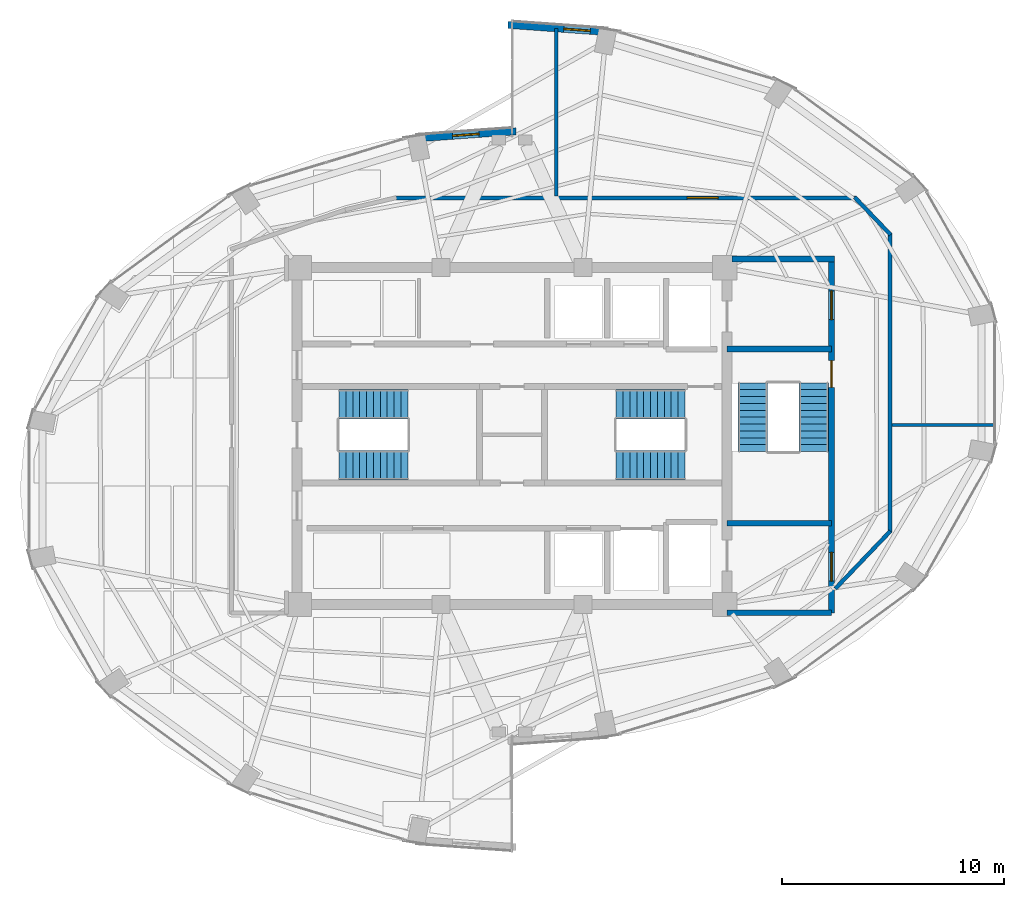
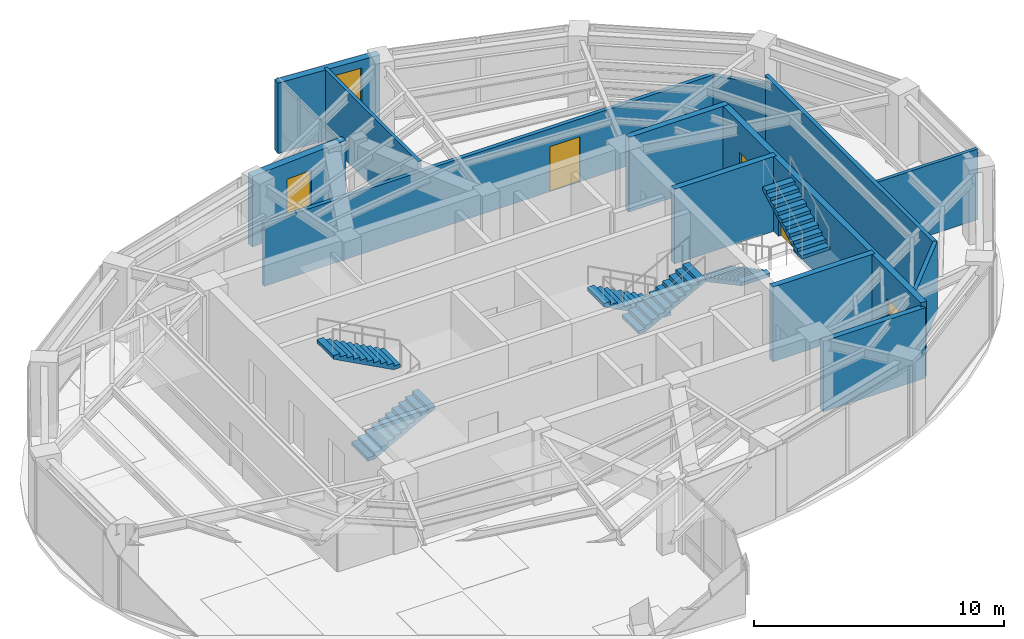
# One storey, part 20 of 22: 13 walls, 6 stair flights, 4 doors, 2 windows, 6 openings, 3 elements without a shape of their own.
"""IFC4 building model written with IfcOpenShell, lengths in metres."""

import ifcopenshell
import ifcopenshell.guid

model = None  # the IFC model being written
_history = None  # IfcOwnerHistory: only IFC2X3 demands one
_inside = {}  # id of a spatial element -> (the spatial element, [elements in it])
_under = {}  # id of a project, library or spatial element -> (it, [spatial elements below it])
_declared = {}  # id of a project -> (the project, [libraries it declares])
_typed = {}  # id of a type object -> (the type object, [elements of that type])
_made_of = {}  # id of a material, layer set ... -> (it, [elements and type objects made of it])


def new_model(schema):
    """Start an empty IFC model of exactly this schema.

    Asked for "IFC4X3", IfcOpenShell would pick the latest addendum, in which some entities
    have other attributes; the version numbers below select the first issue.
    IFC2X3 requires an IfcOwnerHistory on every rooted entity: one is made here for all.
    """
    global model, _history
    if schema == "IFC4X3":
        model = ifcopenshell.file(schema_version=(4, 3, 0, 0))
    else:
        model = ifcopenshell.file(schema=schema)
    _inside.clear()
    _under.clear()
    _declared.clear()
    _typed.clear()
    _made_of.clear()
    _history = None
    if model.schema == "IFC2X3":
        org = make("IfcOrganization", Name="unknown")
        user = make(
            "IfcPersonAndOrganization",
            ThePerson=make("IfcPerson", FamilyName="unknown"),
            TheOrganization=org,
        )
        app = make(
            "IfcApplication",
            ApplicationDeveloper=org,
            Version="unknown",
            ApplicationFullName="unknown",
            ApplicationIdentifier="unknown",
        )
        _history = make(
            "IfcOwnerHistory",
            OwningUser=user,
            OwningApplication=app,
            ChangeAction="ADDED",
            CreationDate=0,
        )
    return model


def make(cls, **values):
    """One entity of the class cls with the attributes given. An attribute that is None is left unset."""
    return model.create_entity(
        cls, **{name: value for name, value in values.items() if value is not None}
    )


def rooted(cls, **values):
    """An entity with a GlobalId (a new one), such as an element, a storey or a relation."""
    return make(cls, GlobalId=ifcopenshell.guid.new(), OwnerHistory=_history, **values)


def si_unit(unit_type, name, prefix=None):
    """IfcSIUnit, for example si_unit("LENGTHUNIT", "METRE", prefix="MILLI")."""
    return make("IfcSIUnit", UnitType=unit_type, Prefix=prefix, Name=name)


def assignment(units):
    """IfcUnitAssignment: the units of a project."""
    return None if units is None else make("IfcUnitAssignment", Units=units)


def point(xyz):
    """IfcCartesianPoint."""
    return None if xyz is None else make("IfcCartesianPoint", Coordinates=xyz)


def direction(xyz):
    """IfcDirection."""
    return None if xyz is None else make("IfcDirection", DirectionRatios=xyz)


def frame(location, z_axis=None, x_axis=None):
    """IfcAxis2Placement3D, a coordinate frame: its origin and axes. An axis left out is left unset."""
    return make(
        "IfcAxis2Placement3D",
        Location=point(location),
        Axis=direction(z_axis),
        RefDirection=direction(x_axis),
    )


def frame_2d(location, x_axis=None):
    """IfcAxis2Placement2D, a coordinate frame in the plane: its origin and x axis."""
    return make(
        "IfcAxis2Placement2D", Location=point(location), RefDirection=direction(x_axis)
    )


def origin():
    """The frame at (0, 0, 0) with its axes left unset."""
    return frame((0.0, 0.0, 0.0))


def place(relative_to, where):
    """IfcLocalPlacement: puts the frame where relative to a parent placement (None: the world)."""
    return make(
        "IfcLocalPlacement", PlacementRelTo=relative_to, RelativePlacement=where
    )


def context(
    kind, dimensions, precision=None, world=None, true_north=None, identifier=None
):
    """IfcGeometricRepresentationContext, for example the 3D "Model" context."""
    return make(
        "IfcGeometricRepresentationContext",
        ContextIdentifier=identifier,
        ContextType=kind,
        CoordinateSpaceDimension=dimensions,
        Precision=precision,
        WorldCoordinateSystem=world,
        TrueNorth=true_north,
    )


def subcontext(parent, identifier, kind, view, scale=None):
    """IfcGeometricRepresentationSubContext, for example "Body" below "Model"."""
    return make(
        "IfcGeometricRepresentationSubContext",
        ContextIdentifier=identifier,
        ContextType=kind,
        ParentContext=parent,
        TargetScale=scale,
        TargetView=view,
    )


def project(units=None, contexts=None):
    """IfcProject with its units and contexts."""
    return rooted(
        "IfcProject",
        Name="project",
        RepresentationContexts=contexts,
        UnitsInContext=assignment(units),
    )


def spatial(cls, under=None, at=None, **own):
    """A site, building, storey or space (cls), placed at a placement, below another one or the project."""
    s = rooted(cls, ObjectPlacement=at, **own)
    if under is not None:
        _under.setdefault(under.id(), (under, []))[1].append(s)
    return s


def polyline(points):
    """IfcPolyline through the points."""
    return make("IfcPolyline", Points=[point(p) for p in points])


def profile(cls, at=None, kind="AREA", **sizes):
    """A parametric profile (cls). Its sizes go by their IFC names, for example OverallWidth=200.0."""
    return make(cls, ProfileType=kind, Position=at, **sizes)


def rectangle(**sizes):
    """IfcRectangleProfileDef."""
    return profile("IfcRectangleProfileDef", **sizes)


def outline(outer, holes=None, kind="AREA"):
    """IfcArbitraryClosedProfileDef: a profile drawn as a closed curve; with holes, ...WithVoids."""
    if holes is None:
        return make("IfcArbitraryClosedProfileDef", ProfileType=kind, OuterCurve=outer)
    return make(
        "IfcArbitraryProfileDefWithVoids",
        ProfileType=kind,
        OuterCurve=outer,
        InnerCurves=holes,
    )


def extrude(swept, where, along, depth):
    """IfcExtrudedAreaSolid: the profile swept, set in the frame where, extruded along a direction by depth."""
    return make(
        "IfcExtrudedAreaSolid",
        SweptArea=swept,
        Position=where,
        ExtrudedDirection=direction(along),
        Depth=depth,
    )


def shape(context_of_items, identifier, shape_type, items):
    """IfcShapeRepresentation: the items that make up one representation, for example the "Body"."""
    return make(
        "IfcShapeRepresentation",
        ContextOfItems=context_of_items,
        RepresentationIdentifier=identifier,
        RepresentationType=shape_type,
        Items=items,
    )


def material(Name=None, Category=None):
    """IfcMaterial."""
    return make("IfcMaterial", Name=Name, Category=Category)


def layer(
    of_material, thickness, ventilated=None, Name=None, Category=None, Priority=None
):
    """IfcMaterialLayer: one layer of a wall or slab, of a material (None: an air gap)."""
    return make(
        "IfcMaterialLayer",
        Material=of_material,
        LayerThickness=thickness,
        IsVentilated=ventilated,
        Name=Name,
        Category=Category,
        Priority=Priority,
    )


def layer_set(layers, Name=None):
    """IfcMaterialLayerSet."""
    return make("IfcMaterialLayerSet", MaterialLayers=layers, LayerSetName=Name)


def made_of(thing, what):
    """Note that an element or type object is made of a material, layer set ...; save() writes the relation."""
    if what is not None:
        _made_of.setdefault(what.id(), (what, []))[1].append(thing)
    return thing


def type_object(cls, material=None, **own):
    """A type object (cls), such as IfcWallType, which elements share."""
    return made_of(rooted(cls, **own), material)


def element(
    cls,
    number,
    at=None,
    inside=None,
    cuts=None,
    type_object=None,
    material=None,
    context=None,
    identifier="Body",
    shape_type=None,
    held_by="IfcProductDefinitionShape",
    body=None,
    shapes=None,
    **own,
):
    """One element of the class cls, such as IfcWall. Its Tag is "e" and its number.

    at: its placement. inside: the storey or other place that contains it. cuts: it is an
    opening in that element (IfcRelVoidsElement). A single representation is given by context,
    identifier, shape_type and body (its items); several are given by shapes. held_by: the class
    of the entity that holds the representations. save() writes the other relations.
    """
    e = rooted(cls, Tag="e%d" % number, ObjectPlacement=at, **own)
    if body is not None:
        shapes = [shape(context, identifier, shape_type, body)]
    if shapes is not None:
        e.Representation = make(held_by, Representations=shapes)
    if inside is not None:
        _inside.setdefault(inside.id(), (inside, []))[1].append(e)
    if cuts is not None:
        rooted(
            "IfcRelVoidsElement", RelatingBuildingElement=cuts, RelatedOpeningElement=e
        )
    if type_object is not None:
        _typed.setdefault(type_object.id(), (type_object, []))[1].append(e)
    return made_of(e, material)


def fill(opening, filler):
    """IfcRelFillsElement: the door or window that sits in an opening."""
    return rooted(
        "IfcRelFillsElement",
        RelatingOpeningElement=opening,
        RelatedBuildingElement=filler,
    )


def aggregate(whole, parts):
    """IfcRelAggregates: a whole, such as a stair, and the parts it consists of."""
    return rooted("IfcRelAggregates", RelatingObject=whole, RelatedObjects=parts)


def save(model, path):
    """Write the relations noted so far, then the file.

    IfcRelAggregates (storeys below a building ...), IfcRelContainedInSpatialStructure (elements
    in a storey), IfcRelDefinesByType, IfcRelAssociatesMaterial and IfcRelDeclares: one each for
    every whole, place, type object, material and project.
    """
    for whole, parts in _under.values():
        aggregate(whole, parts)
    for where, things in _inside.values():
        rooted(
            "IfcRelContainedInSpatialStructure",
            RelatedElements=things,
            RelatingStructure=where,
        )
    for kind, things in _typed.values():
        rooted("IfcRelDefinesByType", RelatedObjects=things, RelatingType=kind)
    for what, things in _made_of.values():
        rooted("IfcRelAssociatesMaterial", RelatedObjects=things, RelatingMaterial=what)
    for by, libraries in _declared.values():
        rooted("IfcRelDeclares", RelatingContext=by, RelatedDefinitions=libraries)
    model.write(path)


model = new_model("IFC4")

# Units and contexts
model_context = context("Model", 3, precision=1e-05, world=origin(), true_north=direction((0.0, 1.0)))
body_context = subcontext(model_context, "Body", "Model", "MODEL_VIEW")
ifc_project = project(units=[si_unit("LENGTHUNIT", "METRE"), si_unit("AREAUNIT", "SQUARE_METRE"), si_unit("VOLUMEUNIT", "CUBIC_METRE"), si_unit("PLANEANGLEUNIT", "RADIAN"), si_unit("MASSUNIT", "GRAM", prefix="KILO")], contexts=[model_context])

# Site, building, storey
site_placement = place(None, origin())
site = spatial("IfcSite", under=ifc_project, at=site_placement, CompositionType="ELEMENT")
building_placement = place(site_placement, origin())
building = spatial("IfcBuilding", under=site, at=building_placement, Name="Lazwardi Medical Tower", CompositionType="ELEMENT")
storey_placement = place(building_placement, frame((0.0, 0.0, 251.3759765625)))
storey = spatial("IfcBuildingStorey", under=building, at=storey_placement, Name="L65", CompositionType="ELEMENT", Elevation=251.3759765625)

# Wall, opening, door
ifc_material_1 = material(Name="Fire-rated gypsum board on steel stud", Category="steel")
ifc_layer_1 = layer(ifc_material_1, 0.179931640625)
ifc_layer_set_1 = layer_set([ifc_layer_1], Name="Fire-rated gypsum board on steel stud")
wall_type_1 = type_object("IfcWallType", Name="WL-COR-180", PredefinedType="PARTITIONING", material=ifc_layer_set_1)
wall_1_placement = place(storey_placement, frame((30.709716796875, 38.75, 0.0), z_axis=(0.0, 0.0, 1.0), x_axis=(1.0, 0.0, 0.0)))
wall_1 = element("IfcWall", 1, at=wall_1_placement, inside=storey, type_object=wall_type_1, Name="L65 Corridor partition 3", PredefinedType="PARTITIONING", context=body_context, shape_type="SweptSolid", body=[
    extrude(rectangle(XDim=20.8154296875, YDim=0.179931640625, at=frame_2d((10.40771484375, 0.0))), origin(), (0.0, 0.0, 1.0), 3.072998046875),
])
opening_1_placement = place(wall_1_placement, frame((13.19384765625, 0.0, 0.0)))
opening_1 = element("IfcOpeningElement", 2, at=opening_1_placement, cuts=wall_1, Name="Opening D-L65-011", PredefinedType="OPENING", context=body_context, shape_type="SweptSolid", body=[
    extrude(rectangle(XDim=1.39990234375, YDim=2.199951171875, at=frame_2d((0.699951171875, 1.10009765625))), frame((0.0, 0.099853515625, 0.0), z_axis=(0.0, -1.0, 0.0), x_axis=(1.0, 0.0, 0.0)), (0.0, 0.0, 1.0), 0.199951171875),
])
ifc_material_2 = material(Name="Anti-microbial laminate hospital leaf")
door_type_1 = type_object("IfcDoorType", Name="DR-BED-1400", OperationType="NOTDEFINED", PredefinedType="DOOR", material=ifc_material_2)
door_1_placement = place(opening_1_placement, origin())
door_1 = element("IfcDoor", 3, at=door_1_placement, inside=storey, type_object=door_type_1, Name="L65 Patient Day Lounge Door 02", OperationType="SINGLE_SWING_RIGHT", OverallHeight=2.199951171875, OverallWidth=1.39990234375, PredefinedType="DOOR", context=body_context, shape_type="SweptSolid", body=[
    extrude(rectangle(XDim=1.39990234375, YDim=2.199951171875, at=frame_2d((0.699951171875, 1.10009765625))), frame((0.0, 0.02490234375, 0.0), z_axis=(0.0, -1.0, 0.0), x_axis=(1.0, 0.0, 0.0)), (0.0, 0.0, 1.0), 0.050048828125),
])
fill(opening_1, door_1)

# Walls
wall_2_placement = place(storey_placement, frame((51.45751953125, 38.77880859375, 0.0), z_axis=(0.0, 0.0, 1.0), x_axis=(0.691359830363, -0.722510612352, 0.0)))
element("IfcWall", 4, at=wall_2_placement, inside=storey, type_object=wall_type_1, Name="L65 Corridor partition 4", PredefinedType="PARTITIONING", context=body_context, shape_type="SweptSolid", body=[
    extrude(rectangle(XDim=2.34326171875, YDim=0.179931640625, at=frame_2d((1.171630859375, 0.0))), origin(), (0.0, 0.0, 1.0), 3.032958984375),
])
wall_3_placement = place(storey_placement, frame((53.050048828125, 37.154541015625, 0.0), z_axis=(0.0, 0.0, 1.0), x_axis=(0.0, -1.0, 0.0)))
element("IfcWall", 5, at=wall_3_placement, inside=storey, type_object=wall_type_1, Name="L65 Corridor partition 5", PredefinedType="PARTITIONING", context=body_context, shape_type="SweptSolid", body=[
    extrude(rectangle(XDim=13.509033203125, YDim=0.179931640625, at=frame_2d((6.75439453125, 0.0))), origin(), (0.0, 0.0, 1.0), 3.447998046875),
])
wall_4_placement = place(storey_placement, frame((53.07763671875, 23.71435546875, 0.0), z_axis=(0.0, 0.0, 1.0), x_axis=(-0.691353379446, -0.722516785085, 0.0)))
element("IfcWall", 6, at=wall_4_placement, inside=storey, type_object=wall_type_1, Name="L65 Corridor partition 6", PredefinedType="PARTITIONING", context=body_context, shape_type="SweptSolid", body=[
    extrude(rectangle(XDim=3.603759765625, YDim=0.179931640625, at=frame_2d((1.8017578125, 0.0))), origin(), (0.0, 0.0, 1.0), 3.447998046875),
])

# Wall, opening, window
ifc_material_3 = material(Name="Precast concrete C45/55", Category="concrete")
ifc_layer_2 = layer(ifc_material_3, 0.320068359375)
ifc_layer_set_2 = layer_set([ifc_layer_2], Name="Precast concrete C45/55")
wall_type_2 = type_object("IfcWallType", Name="WL-IWAN-320", PredefinedType="SOLIDWALL", material=ifc_layer_set_2)
wall_5_placement = place(storey_placement, frame((40.349609375, 46.226318359375, 0.0), z_axis=(0.0, 0.0, 1.0), x_axis=(-0.997409061056, 0.071938619141, 0.0)))
wall_5 = element("IfcWall", 7, at=wall_5_placement, inside=storey, type_object=wall_type_2, Name="L65 Iwan Portal Return Wall NE_ret", PredefinedType="SOLIDWALL", context=body_context, shape_type="SweptSolid", body=[
    extrude(rectangle(XDim=4.540771484375, YDim=0.320068359375, at=frame_2d((2.2705078125, 0.0))), origin(), (0.0, 0.0, 1.0), 3.447998046875),
])
opening_2_placement = place(wall_5_placement, frame((0.814697265625, 0.0, 0.85009765625)))
opening_2 = element("IfcOpeningElement", 8, at=opening_2_placement, cuts=wall_5, Name="Opening WN-01", PredefinedType="OPENING", context=body_context, shape_type="SweptSolid", body=[
    extrude(rectangle(XDim=1.199951171875, YDim=2.199951171875, at=frame_2d((0.60009765625, 1.10009765625))), frame((0.0, 0.169921875, 0.0), z_axis=(0.0, -1.0, 0.0), x_axis=(1.0, 0.0, 0.0)), (0.0, 0.0, 1.0), 0.340087890625),
])
ifc_material_4 = material(Name="Low-e bronze solar control double glazing", Category="glass")
window_type_1 = type_object("IfcWindowType", Name="WIN-IW-1200", PartitioningType="SINGLE_PANEL", PredefinedType="WINDOW", material=ifc_material_4)
window_1_placement = place(opening_2_placement, origin())
window_1 = element("IfcWindow", 9, at=window_1_placement, inside=storey, type_object=window_type_1, Name="L65 Iwan Slot Window NE_ret", OverallHeight=2.199951171875, OverallWidth=1.199951171875, PartitioningType="SINGLE_PANEL", PredefinedType="WINDOW", context=body_context, shape_type="SweptSolid", body=[
    extrude(rectangle(XDim=1.199951171875, YDim=2.199951171875, at=frame_2d((0.60009765625, 1.10009765625))), frame((0.0, 0.030029296875, 0.0), z_axis=(0.0, -1.0, 0.0), x_axis=(1.0, 0.0, 0.0)), (0.0, 0.0, 1.0), 0.06005859375),
])
fill(opening_2, window_1)

wall_6_placement = place(storey_placement, frame((36.17919921875, 41.7529296875, 0.0), z_axis=(0.0, 0.0, 1.0), x_axis=(-0.997408782787, -0.071942477163, 0.0)))
wall_6 = element("IfcWall", 10, at=wall_6_placement, inside=storey, type_object=wall_type_2, Name="L65 Iwan Portal Return Wall NW_ret", PredefinedType="SOLIDWALL", context=body_context, shape_type="SweptSolid", body=[
    extrude(rectangle(XDim=4.54052734375, YDim=0.320068359375, at=frame_2d((2.270263671875, 0.0))), origin(), (0.0, 0.0, 1.0), 3.447998046875),
])
opening_3_placement = place(wall_6_placement, frame((1.67041015625, 0.0, 0.85009765625)))
opening_3 = element("IfcOpeningElement", 11, at=opening_3_placement, cuts=wall_6, Name="Opening WN-04", PredefinedType="OPENING", context=body_context, shape_type="SweptSolid", body=[
    extrude(rectangle(XDim=1.199951171875, YDim=1.800048828125, at=frame_2d((0.60009765625, 0.89990234375))), frame((0.0, 0.169921875, 0.0), z_axis=(0.0, -1.0, 0.0), x_axis=(1.0, 0.0, 0.0)), (0.0, 0.0, 1.0), 0.340087890625),
])
window_type_2 = type_object("IfcWindowType", Name="WIN-DRUM-1200", PartitioningType="SINGLE_PANEL", PredefinedType="WINDOW", material=ifc_material_4)
window_2_placement = place(opening_3_placement, origin())
window_2 = element("IfcWindow", 12, at=window_2_placement, inside=storey, type_object=window_type_2, Name="L65 Iwan Slot Window NW_ret", OverallHeight=1.800048828125, OverallWidth=1.199951171875, PartitioningType="SINGLE_PANEL", PredefinedType="WINDOW", context=body_context, shape_type="SweptSolid", body=[
    extrude(rectangle(XDim=1.199951171875, YDim=1.800048828125, at=frame_2d((0.60009765625, 0.89990234375))), frame((0.0, 0.030029296875, 0.0), z_axis=(0.0, -1.0, 0.0), x_axis=(1.0, 0.0, 0.0)), (0.0, 0.0, 1.0), 0.06005859375),
])
fill(opening_3, window_2)

# Wall
ifc_material_5 = material(Name="Autoclaved aerated concrete blockwork", Category="masonry")
ifc_layer_3 = layer(ifc_material_5, 0.25)
ifc_layer_set_3 = layer_set([ifc_layer_3], Name="Autoclaved aerated concrete blockwork")
wall_type_3 = type_object("IfcWallType", Name="WL-SHAFT-250", PredefinedType="SOLIDWALL", material=ifc_layer_set_3)
wall_7_placement = place(storey_placement, frame((45.699951171875, 20.02001953125, 0.0), z_axis=(0.0, 0.0, 1.0), x_axis=(1.0, 0.0, 0.0)))
element("IfcWall", 13, at=wall_7_placement, inside=storey, type_object=wall_type_3, Name="L65 FFL-S South wall", PredefinedType="SOLIDWALL", context=body_context, shape_type="SweptSolid", body=[
    extrude(rectangle(XDim=4.715087890625, YDim=0.25, at=frame_2d((2.357421875, 0.0))), origin(), (0.0, 0.0, 1.0), 3.447998046875),
])

# Wall, openings, doors
ifc_material_6 = material(Name="Concrete C50/60", Category="concrete")
ifc_layer_4 = layer(ifc_material_6, 0.27001953125)
ifc_layer_set_4 = layer_set([ifc_layer_4], Name="Concrete C50/60")
wall_type_4 = type_object("IfcWallType", Name="WL-STR-250", PredefinedType="SHEAR", material=ifc_layer_set_4)
wall_8_placement = place(storey_placement, frame((50.4150390625, 35.844970703125, 0.0), z_axis=(0.0, 0.0, 1.0), x_axis=(0.0, -1.0, 0.0)))
wall_8 = element("IfcWall", 14, at=wall_8_placement, inside=storey, type_object=wall_type_4, Name="L65 East ST3 & FFL shear wall SW-S1", PredefinedType="SHEAR", context=body_context, shape_type="SweptSolid", body=[
    extrude(rectangle(XDim=15.824951171875, YDim=0.27001953125, at=frame_2d((7.91259765625, 0.0))), origin(), (0.0, 0.0, 1.0), 3.64794921875),
])
opening_4_placement = place(wall_8_placement, frame((4.445068359375, 0.0, 0.0)))
opening_4 = element("IfcOpeningElement", 15, at=opening_4_placement, cuts=wall_8, Name="Opening D-L65-014", PredefinedType="OPENING", context=body_context, shape_type="SweptSolid", body=[
    extrude(rectangle(XDim=1.199951171875, YDim=2.14990234375, at=frame_2d((0.60009765625, 1.074951171875))), frame((0.0, 0.14501953125, 0.0), z_axis=(0.0, -1.0, 0.0), x_axis=(1.0, 0.0, 0.0)), (0.0, 0.0, 1.0), 0.2900390625),
])
opening_5_placement = place(wall_8_placement, frame((1.294921875, 0.0, 0.0)))
opening_5 = element("IfcOpeningElement", 16, at=opening_5_placement, cuts=wall_8, Name="Opening D-L65-006", PredefinedType="OPENING", context=body_context, shape_type="SweptSolid", body=[
    extrude(rectangle(XDim=1.300048828125, YDim=2.199951171875, at=frame_2d((0.64990234375, 1.10009765625))), frame((0.0, 0.14501953125, 0.0), z_axis=(0.0, -1.0, 0.0), x_axis=(1.0, 0.0, 0.0)), (0.0, 0.0, 1.0), 0.2900390625),
])
opening_6_placement = place(wall_8_placement, frame((13.094970703125, 0.0, 0.0)))
opening_6 = element("IfcOpeningElement", 17, at=opening_6_placement, cuts=wall_8, Name="Opening D-L65-007", PredefinedType="OPENING", context=body_context, shape_type="SweptSolid", body=[
    extrude(rectangle(XDim=1.300048828125, YDim=2.199951171875, at=frame_2d((0.64990234375, 1.10009765625))), frame((0.0, 0.14501953125, 0.0), z_axis=(0.0, -1.0, 0.0), x_axis=(1.0, 0.0, 0.0)), (0.0, 0.0, 1.0), 0.2900390625),
])
ifc_material_7 = material(Name="Fire-rated steel leaf and frame", Category="steel")
door_type_2 = type_object("IfcDoorType", Name="DR-FFL-1300", OperationType="NOTDEFINED", PredefinedType="DOOR", material=ifc_material_7)
door_2_placement = place(opening_5_placement, origin())
door_2 = element("IfcDoor", 18, at=door_2_placement, inside=storey, type_object=door_type_2, Name="L65 Fire-Fighting Lobby North Door", OperationType="SINGLE_SWING_LEFT", OverallHeight=2.199951171875, OverallWidth=1.300048828125, PredefinedType="DOOR", context=body_context, shape_type="SweptSolid", body=[
    extrude(rectangle(XDim=1.300048828125, YDim=2.199951171875, at=frame_2d((0.64990234375, 1.10009765625))), frame((0.0, 0.02490234375, 0.0), z_axis=(0.0, -1.0, 0.0), x_axis=(1.0, 0.0, 0.0)), (0.0, 0.0, 1.0), 0.050048828125),
])
fill(opening_5, door_2)
door_3_placement = place(opening_6_placement, origin())
door_3 = element("IfcDoor", 19, at=door_3_placement, inside=storey, type_object=door_type_2, Name="L65 Fire-Fighting Lobby South Door", OperationType="SINGLE_SWING_RIGHT", OverallHeight=2.199951171875, OverallWidth=1.300048828125, PredefinedType="DOOR", context=body_context, shape_type="SweptSolid", body=[
    extrude(rectangle(XDim=1.300048828125, YDim=2.199951171875, at=frame_2d((0.64990234375, 1.10009765625))), frame((0.0, 0.02490234375, 0.0), z_axis=(0.0, -1.0, 0.0), x_axis=(1.0, 0.0, 0.0)), (0.0, 0.0, 1.0), 0.050048828125),
])
fill(opening_6, door_3)
door_type_3 = type_object("IfcDoorType", Name="DR-STR-1200", OperationType="NOTDEFINED", PredefinedType="DOOR", material=ifc_material_7)
door_4_placement = place(opening_4_placement, origin())
door_4 = element("IfcDoor", 20, at=door_4_placement, inside=storey, type_object=door_type_3, Name="L65 Exit Stair ST3 Door", OperationType="SINGLE_SWING_RIGHT", OverallHeight=2.14990234375, OverallWidth=1.199951171875, PredefinedType="DOOR", context=body_context, shape_type="SweptSolid", body=[
    extrude(rectangle(XDim=1.199951171875, YDim=2.14990234375, at=frame_2d((0.60009765625, 1.074951171875))), frame((0.0, 0.02490234375, 0.0), z_axis=(0.0, -1.0, 0.0), x_axis=(1.0, 0.0, 0.0)), (0.0, 0.0, 1.0), 0.050048828125),
])
fill(opening_4, door_4)

# Walls
wall_9_placement = place(storey_placement, frame((45.925048828125, 35.97998046875, 0.0), z_axis=(0.0, 0.0, 1.0), x_axis=(1.0, 0.0, 0.0)))
element("IfcWall", 21, at=wall_9_placement, inside=storey, type_object=wall_type_4, Name="L65 FFL-N North shear wall SW-S1", PredefinedType="SHEAR", context=body_context, shape_type="SweptSolid", body=[
    extrude(rectangle(XDim=4.625, YDim=0.27001953125, at=frame_2d((2.3125, 0.0))), origin(), (0.0, 0.0, 1.0), 3.64794921875),
])
for number, where, z_axis, x_axis, name in (
    (22, (45.699951171875, 31.93505859375, 0.0), (0.0, 0.0, 1.0), (1.0, 0.0, 0.0), "L65 ST3 North shear shaft wall SW-S1"),
    (23, (45.699951171875, 24.06494140625, 0.0), (0.0, 0.0, 1.0), (1.0, 0.0, 0.0), "L65 ST3 South shear shaft wall SW-S1"),
):
    element("IfcWall", number, at=place(storey_placement, frame(where, z_axis=z_axis, x_axis=x_axis)), inside=storey, type_object=wall_type_4, Name=name, PredefinedType="SHEAR", context=body_context, shape_type="SweptSolid", body=[
        extrude(rectangle(XDim=4.715087890625, YDim=0.27001953125, at=frame_2d((2.357421875, 0.0))), origin(), (0.0, 0.0, 1.0), 3.64794921875),
    ])
ifc_material_8 = material(Name="Acoustic gypsum board partition")
ifc_layer_5 = layer(ifc_material_8, 0.14990234375)
ifc_layer_set_5 = layer_set([ifc_layer_5], Name="Acoustic gypsum board partition")
wall_type_5 = type_object("IfcWallType", Name="WL-WRD-150", PredefinedType="PARTITIONING", material=ifc_layer_set_5)
wall_10_placement = place(storey_placement, frame((53.139892578125, 28.5, 0.0), z_axis=(0.0, 0.0, 1.0), x_axis=(1.0, 0.0, 0.0)))
element("IfcWall", 24, at=wall_10_placement, inside=storey, type_object=wall_type_5, Name="L65 Room partition 1", PredefinedType="PARTITIONING", context=body_context, shape_type="SweptSolid", body=[
    extrude(rectangle(XDim=4.6318359375, YDim=0.14990234375, at=frame_2d((2.31591796875, 0.0))), origin(), (0.0, 0.0, 1.0), 3.447998046875),
])
wall_11_placement = place(storey_placement, frame((38.0, 38.840087890625, 0.0), z_axis=(0.0, 0.0, 1.0), x_axis=(0.0, 1.0, 0.0)))
element("IfcWall", 25, at=wall_11_placement, inside=storey, type_object=wall_type_5, Name="L65 Room partition 2", PredefinedType="PARTITIONING", context=body_context, shape_type="SweptSolid", body=[
    extrude(rectangle(XDim=7.543212890625, YDim=0.14990234375, at=frame_2d((3.771484375, 0.0))), origin(), (0.0, 0.0, 1.0), 3.447998046875),
])

# Stair, stair flights
ifc_material_9 = material(Name="Concrete C45/55", Category="concrete")
stair_type = type_object("IfcStairType", Name="STR-WRD", PredefinedType="HALF_TURN_STAIR", material=ifc_material_9)
stair_1_placement = place(storey_placement, origin())
stair_1 = element("IfcStair", 26, at=stair_1_placement, inside=storey, type_object=stair_type, Name="L65 Protected Exit Stair ST1", PredefinedType="HALF_TURN_STAIR")
stair_flight_type = type_object("IfcStairFlightType", Name="FLT-WRD", PredefinedType="STRAIGHT", material=ifc_material_9)
stair_flight_1_placement = place(storey_placement, frame((28.199951171875, 26.679931640625, 0.0), z_axis=(0.0, 0.0, 1.0), x_axis=(1.0, 0.0, 0.0)))
stair_flight_1 = element("IfcStairFlight", 27, at=stair_flight_1_placement, type_object=stair_flight_type, Name="ST1 flight 1", NumberOfRisers=11, NumberOfTreads=10, PredefinedType="STRAIGHT", RiserHeight=0.165818182, TreadLength=0.31, context=body_context, shape_type="SweptSolid", body=[
    extrude(outline(polyline([(0.0, 0.0), (0.0, 0.165771484375), (0.31005859375, 0.165771484375), (0.31005859375, 0.33154296875), (0.6201171875, 0.33154296875), (0.6201171875, 0.49755859375), (0.929931640625, 0.49755859375), (0.929931640625, 0.663330078125), (1.239990234375, 0.663330078125), (1.239990234375, 0.8291015625), (1.550048828125, 0.8291015625), (1.550048828125, 0.994873046875), (1.860107421875, 0.994873046875), (1.860107421875, 1.16064453125), (2.169921875, 1.16064453125), (2.169921875, 1.32666015625), (2.47998046875, 1.32666015625), (2.47998046875, 1.492431640625), (2.7900390625, 1.492431640625), (2.7900390625, 1.658203125), (3.10009765625, 1.658203125), (3.10009765625, 1.823974609375), (3.10009765625, 1.48828125), (0.31787109375, 0.0), (0.0, 0.0)])), frame((0.0, 0.66015625, 0.0), z_axis=(0.0, -1.0, 0.0), x_axis=(1.0, 0.0, 0.0)), (0.0, 0.0, 1.0), 1.320068359375),
])
stair_flight_2_placement = place(storey_placement, frame((31.300048828125, 29.43994140625, 1.823974609375), z_axis=(0.0, 0.0, 1.0), x_axis=(-1.0, 0.0, 0.0)))
stair_flight_2 = element("IfcStairFlight", 28, at=stair_flight_2_placement, type_object=stair_flight_type, Name="ST1 flight 2", NumberOfRisers=11, NumberOfTreads=10, PredefinedType="STRAIGHT", RiserHeight=0.165818182, TreadLength=0.31, context=body_context, shape_type="SweptSolid", body=[
    extrude(outline(polyline([(0.0, 0.0), (0.0, 0.165771484375), (0.31005859375, 0.165771484375), (0.31005859375, 0.33154296875), (0.6201171875, 0.33154296875), (0.6201171875, 0.49755859375), (0.929931640625, 0.49755859375), (0.929931640625, 0.663330078125), (1.239990234375, 0.663330078125), (1.239990234375, 0.8291015625), (1.550048828125, 0.8291015625), (1.550048828125, 0.994873046875), (1.860107421875, 0.994873046875), (1.860107421875, 1.16064453125), (2.169921875, 1.16064453125), (2.169921875, 1.32666015625), (2.47998046875, 1.32666015625), (2.47998046875, 1.492431640625), (2.7900390625, 1.492431640625), (2.7900390625, 1.658203125), (3.10009765625, 1.658203125), (3.10009765625, 1.823974609375), (3.10009765625, 1.48828125), (0.31787109375, 0.0), (0.0, 0.0)])), frame((0.0, 0.66015625, 0.0), z_axis=(0.0, -1.0, 0.0), x_axis=(1.0, 0.0, 0.0)), (0.0, 0.0, 1.0), 1.320068359375),
])
aggregate(stair_1, [stair_flight_1, stair_flight_2])

stair_2_placement = place(storey_placement, origin())
stair_2 = element("IfcStair", 29, at=stair_2_placement, inside=storey, type_object=stair_type, Name="L65 Protected Exit Stair ST2", PredefinedType="HALF_TURN_STAIR")
stair_flight_3_placement = place(storey_placement, frame((43.800048828125, 29.43994140625, 0.0), z_axis=(0.0, 0.0, 1.0), x_axis=(-1.0, 0.0, 0.0)))
stair_flight_3 = element("IfcStairFlight", 30, at=stair_flight_3_placement, type_object=stair_flight_type, Name="ST2 flight 1", NumberOfRisers=11, NumberOfTreads=10, PredefinedType="STRAIGHT", RiserHeight=0.165818182, TreadLength=0.31, context=body_context, shape_type="SweptSolid", body=[
    extrude(outline(polyline([(0.0, 0.0), (0.0, 0.165771484375), (0.31005859375, 0.165771484375), (0.31005859375, 0.33154296875), (0.6201171875, 0.33154296875), (0.6201171875, 0.49755859375), (0.929931640625, 0.49755859375), (0.929931640625, 0.663330078125), (1.239990234375, 0.663330078125), (1.239990234375, 0.8291015625), (1.550048828125, 0.8291015625), (1.550048828125, 0.994873046875), (1.860107421875, 0.994873046875), (1.860107421875, 1.16064453125), (2.169921875, 1.16064453125), (2.169921875, 1.32666015625), (2.47998046875, 1.32666015625), (2.47998046875, 1.492431640625), (2.7900390625, 1.492431640625), (2.7900390625, 1.658203125), (3.10009765625, 1.658203125), (3.10009765625, 1.823974609375), (3.10009765625, 1.48828125), (0.31787109375, 0.0), (0.0, 0.0)])), frame((0.0, 0.66015625, 0.0), z_axis=(0.0, -1.0, 0.0), x_axis=(1.0, 0.0, 0.0)), (0.0, 0.0, 1.0), 1.320068359375),
])
stair_flight_4_placement = place(storey_placement, frame((40.699951171875, 26.679931640625, 1.823974609375), z_axis=(0.0, 0.0, 1.0), x_axis=(1.0, 0.0, 0.0)))
stair_flight_4 = element("IfcStairFlight", 31, at=stair_flight_4_placement, type_object=stair_flight_type, Name="ST2 flight 2", NumberOfRisers=11, NumberOfTreads=10, PredefinedType="STRAIGHT", RiserHeight=0.165818182, TreadLength=0.31, context=body_context, shape_type="SweptSolid", body=[
    extrude(outline(polyline([(0.0, 0.0), (0.0, 0.165771484375), (0.31005859375, 0.165771484375), (0.31005859375, 0.33154296875), (0.6201171875, 0.33154296875), (0.6201171875, 0.49755859375), (0.929931640625, 0.49755859375), (0.929931640625, 0.663330078125), (1.239990234375, 0.663330078125), (1.239990234375, 0.8291015625), (1.550048828125, 0.8291015625), (1.550048828125, 0.994873046875), (1.860107421875, 0.994873046875), (1.860107421875, 1.16064453125), (2.169921875, 1.16064453125), (2.169921875, 1.32666015625), (2.47998046875, 1.32666015625), (2.47998046875, 1.492431640625), (2.7900390625, 1.492431640625), (2.7900390625, 1.658203125), (3.10009765625, 1.658203125), (3.10009765625, 1.823974609375), (3.10009765625, 1.48828125), (0.31787109375, 0.0), (0.0, 0.0)])), frame((0.0, 0.66015625, 0.0), z_axis=(0.0, -1.0, 0.0), x_axis=(1.0, 0.0, 0.0)), (0.0, 0.0, 1.0), 1.320068359375),
])
aggregate(stair_2, [stair_flight_3, stair_flight_4])

stair_3_placement = place(storey_placement, origin())
stair_3 = element("IfcStair", 32, at=stair_3_placement, inside=storey, type_object=stair_type, Name="L65 Protected Exit Stair ST3", PredefinedType="HALF_TURN_STAIR")
stair_flight_5_placement = place(storey_placement, frame((46.860107421875, 30.39990234375, 0.0), z_axis=(0.0, 0.0, 1.0), x_axis=(0.0, -1.0, 0.0)))
stair_flight_5 = element("IfcStairFlight", 33, at=stair_flight_5_placement, type_object=stair_flight_type, Name="ST3 flight 1", NumberOfRisers=11, NumberOfTreads=10, PredefinedType="STRAIGHT", RiserHeight=0.165818182, TreadLength=0.31, context=body_context, shape_type="SweptSolid", body=[
    extrude(outline(polyline([(0.0, 0.0), (0.0, 0.165771484375), (0.31005859375, 0.165771484375), (0.31005859375, 0.33154296875), (0.6201171875, 0.33154296875), (0.6201171875, 0.49755859375), (0.929931640625, 0.49755859375), (0.929931640625, 0.663330078125), (1.239990234375, 0.663330078125), (1.239990234375, 0.8291015625), (1.550048828125, 0.8291015625), (1.550048828125, 0.994873046875), (1.860107421875, 0.994873046875), (1.860107421875, 1.16064453125), (2.169921875, 1.16064453125), (2.169921875, 1.32666015625), (2.47998046875, 1.32666015625), (2.47998046875, 1.492431640625), (2.7900390625, 1.492431640625), (2.7900390625, 1.658203125), (3.10009765625, 1.658203125), (3.10009765625, 1.823974609375), (3.10009765625, 1.48828125), (0.31787109375, 0.0), (0.0, 0.0)])), frame((0.0, 0.66015625, 0.0), z_axis=(0.0, -1.0, 0.0), x_axis=(1.0, 0.0, 0.0)), (0.0, 0.0, 1.0), 1.320068359375),
])
stair_flight_6_placement = place(storey_placement, frame((49.6201171875, 27.300048828125, 1.823974609375), z_axis=(0.0, 0.0, 1.0), x_axis=(0.0, 1.0, 0.0)))
stair_flight_6 = element("IfcStairFlight", 34, at=stair_flight_6_placement, type_object=stair_flight_type, Name="ST3 flight 2", NumberOfRisers=11, NumberOfTreads=10, PredefinedType="STRAIGHT", RiserHeight=0.165818182, TreadLength=0.31, context=body_context, shape_type="SweptSolid", body=[
    extrude(outline(polyline([(0.0, 0.0), (0.0, 0.165771484375), (0.31005859375, 0.165771484375), (0.31005859375, 0.33154296875), (0.6201171875, 0.33154296875), (0.6201171875, 0.49755859375), (0.929931640625, 0.49755859375), (0.929931640625, 0.663330078125), (1.239990234375, 0.663330078125), (1.239990234375, 0.8291015625), (1.550048828125, 0.8291015625), (1.550048828125, 0.994873046875), (1.860107421875, 0.994873046875), (1.860107421875, 1.16064453125), (2.169921875, 1.16064453125), (2.169921875, 1.32666015625), (2.47998046875, 1.32666015625), (2.47998046875, 1.492431640625), (2.7900390625, 1.492431640625), (2.7900390625, 1.658203125), (3.10009765625, 1.658203125), (3.10009765625, 1.823974609375), (3.10009765625, 1.48828125), (0.31787109375, 0.0), (0.0, 0.0)])), frame((0.0, 0.66015625, 0.0), z_axis=(0.0, -1.0, 0.0), x_axis=(1.0, 0.0, 0.0)), (0.0, 0.0, 1.0), 1.320068359375),
])
aggregate(stair_3, [stair_flight_5, stair_flight_6])

save(model, "model.ifc")
